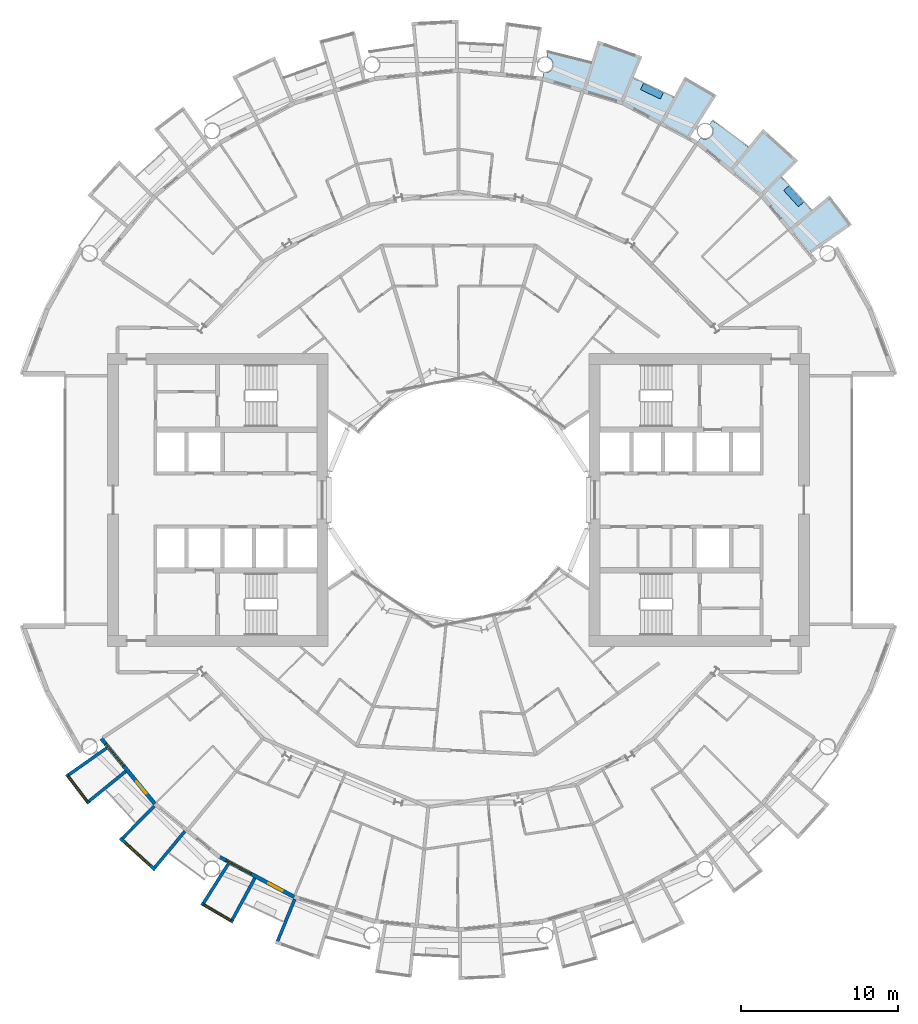
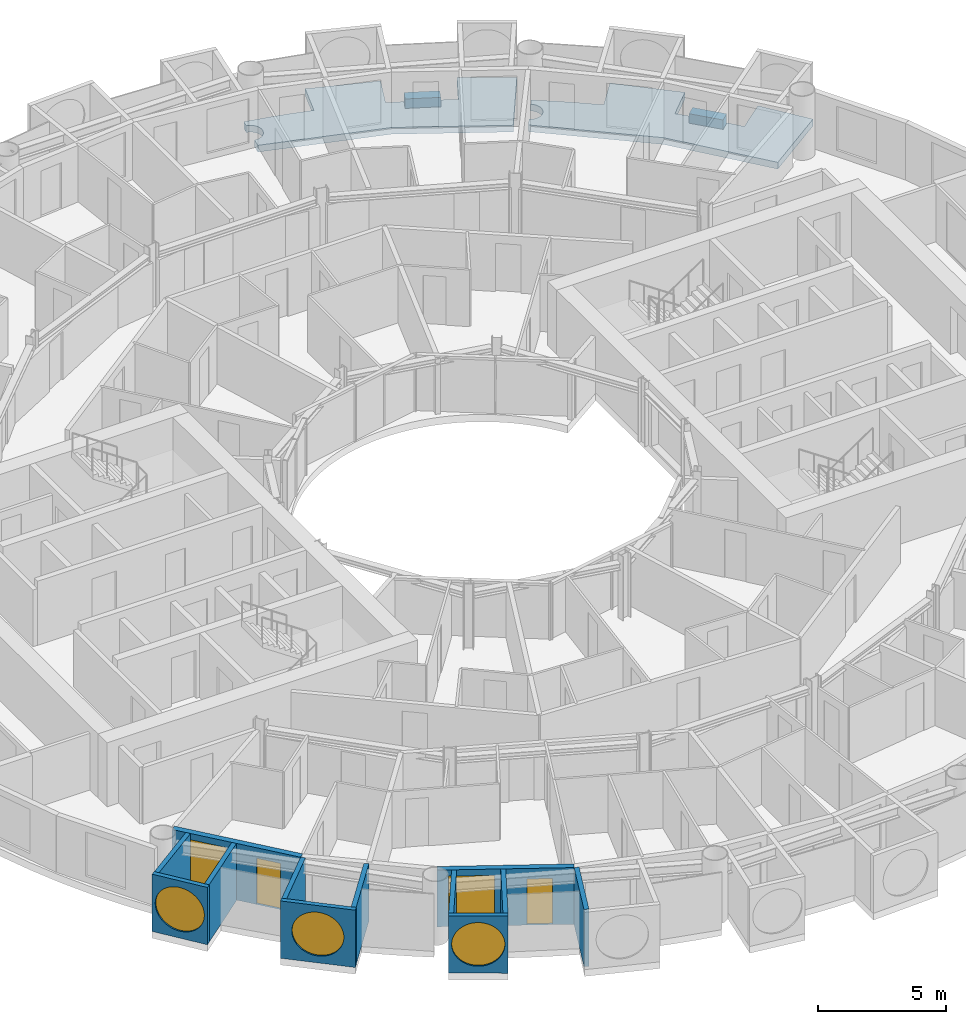
# One storey, part 12 of 26: 12 walls, 5 windows, 4 slabs, 2 doors, 7 openings.
"""IFC4 building model written with IfcOpenShell, lengths in metres."""

from ifc_helpers import new_model, si_unit, direction, frame, frame_2d, origin, place, context, subcontext, project, spatial, polyline, rectangle, circle, outline, extrude, material, layer, layer_set, type_object, element, fill, save


model = new_model("IFC4")

# Units and contexts
model_context = context("Model", 3, precision=1e-05, world=origin(), true_north=direction((0.0, 1.0)))
body_context = subcontext(model_context, "Body", "Model", "MODEL_VIEW")
ifc_project = project(units=[si_unit("LENGTHUNIT", "METRE"), si_unit("AREAUNIT", "SQUARE_METRE"), si_unit("VOLUMEUNIT", "CUBIC_METRE"), si_unit("PLANEANGLEUNIT", "RADIAN"), si_unit("MASSUNIT", "GRAM", prefix="KILO")], contexts=[model_context])

# Site, building, storey
site_placement = place(None, origin())
site = spatial("IfcSite", under=ifc_project, at=site_placement, CompositionType="ELEMENT")
building_placement = place(site_placement, origin())
building = spatial("IfcBuilding", under=site, at=building_placement, Name="Maasbend Ring Residences", CompositionType="ELEMENT")
storey_placement = place(building_placement, frame((0.0, 0.0, 78.85009765625)))
storey = spatial("IfcBuildingStorey", under=building, at=storey_placement, Name="L22", CompositionType="ELEMENT", Elevation=78.85009765625)

# Slabs
ifc_material_1 = material(Name="Planting with climbing greenery")
ifc_layer_1 = layer(ifc_material_1, 0.449951171875)
ifc_layer_set_1 = layer_set([ifc_layer_1], Name="PLANTER-LG")
slab_type_1 = type_object("IfcSlabType", Name="PLANTER-LG", PredefinedType="USERDEFINED", material=ifc_layer_set_1)
slab_1_placement = place(storey_placement, frame((0.0, 0.0, -0.030029296875)))
element("IfcSlab", 1, at=slab_1_placement, inside=storey, type_object=slab_type_1, Name="Planter with climbing greenery 1", ObjectType="PLANTER", PredefinedType="USERDEFINED", context=body_context, shape_type="SweptSolid", body=[
    extrude(outline(polyline([(21.931884765625, 18.93310546875), (20.991943359375, 19.969970703125), (20.657958984375, 19.66796875), (21.597900390625, 18.631103515625), (21.931884765625, 18.93310546875)])), origin(), (0.0, 0.0, 1.0), 0.449951171875),
])
slab_2_placement = place(storey_placement, frame((0.0, 0.0, -0.030029296875)))
element("IfcSlab", 2, at=slab_2_placement, inside=storey, type_object=slab_type_1, Name="Planter with climbing greenery 2", ObjectType="PLANTER", PredefinedType="USERDEFINED", context=body_context, shape_type="SweptSolid", body=[
    extrude(outline(polyline([(13.01708984375, 25.885009765625), (11.7509765625, 26.48291015625), (11.55908203125, 26.076904296875), (12.824951171875, 25.47802734375), (13.01708984375, 25.885009765625)])), origin(), (0.0, 0.0, 1.0), 0.449951171875),
])
ifc_material_2 = material(Name="Concrete C40/50", Category="concrete")
ifc_layer_2 = layer(ifc_material_2, 0.199951171875)
ifc_layer_set_2 = layer_set([ifc_layer_2], Name="Concrete C40/50")
slab_type_2 = type_object("IfcSlabType", Name="SL-LOGGIA", PredefinedType="FLOOR", material=ifc_layer_set_2)
slab_3_placement = place(storey_placement, frame((0.0, 0.0, -0.35009765625)))
element("IfcSlab", 3, at=slab_3_placement, inside=storey, type_object=slab_type_2, Name="Loggia floor 2", PredefinedType="FLOOR", context=body_context, shape_type="SweptSolid", body=[
    extrude(outline(polyline([(5.43896484375, 27.154052734375), (5.451904296875, 27.153076171875), (5.464111328125, 27.15087890625), (5.47705078125, 27.15087890625), (5.489013671875, 27.14990234375), (5.501953125, 27.14990234375), (5.513916015625, 27.14990234375), (5.52587890625, 27.15087890625), (5.5390625, 27.15087890625), (5.551025390625, 27.153076171875), (5.56396484375, 27.154052734375), (5.575927734375, 27.156005859375), (5.587890625, 27.157958984375), (5.60107421875, 27.159912109375), (5.613037109375, 27.162109375), (5.625, 27.1650390625), (5.636962890625, 27.1689453125), (5.64892578125, 27.172119140625), (5.660888671875, 27.176025390625), (5.673095703125, 27.179931640625), (5.68408203125, 27.18408203125), (5.696044921875, 27.18896484375), (5.70703125, 27.194091796875), (5.718994140625, 27.198974609375), (5.72998046875, 27.2041015625), (5.740966796875, 27.2099609375), (5.751953125, 27.216064453125), (5.762939453125, 27.221923828125), (5.77294921875, 27.22900390625), (5.783935546875, 27.236083984375), (5.7939453125, 27.242919921875), (5.803955078125, 27.25), (5.81396484375, 27.258056640625), (5.823974609375, 27.264892578125), (5.8330078125, 27.27294921875), (5.843017578125, 27.281982421875), (5.85205078125, 27.2900390625), (5.861083984375, 27.299072265625), (5.868896484375, 27.30810546875), (5.8779296875, 27.31689453125), (5.885986328125, 27.325927734375), (5.89404296875, 27.3359375), (5.902099609375, 27.345947265625), (5.909912109375, 27.35498046875), (5.9169921875, 27.365966796875), (5.924072265625, 27.3759765625), (5.930908203125, 27.385986328125), (5.93701171875, 27.39697265625), (5.944091796875, 27.407958984375), (5.949951171875, 27.4189453125), (5.955078125, 27.429931640625), (5.9609375, 27.44091796875), (5.966064453125, 27.451904296875), (5.970947265625, 27.464111328125), (5.97509765625, 27.47509765625), (5.97998046875, 27.487060546875), (5.98388671875, 27.4990234375), (5.988037109375, 27.510986328125), (5.990966796875, 27.52294921875), (5.993896484375, 27.534912109375), (5.9970703125, 27.547119140625), (6.0, 27.55908203125), (6.001953125, 27.571044921875), (6.00390625, 27.583984375), (6.006103515625, 27.595947265625), (6.007080078125, 27.60791015625), (6.008056640625, 27.62109375), (6.009033203125, 27.633056640625), (6.009033203125, 27.64599609375), (6.010009765625, 27.657958984375), (6.009033203125, 27.6708984375), (6.009033203125, 27.68310546875), (6.008056640625, 27.695068359375), (6.007080078125, 27.7080078125), (6.006103515625, 27.719970703125), (6.00390625, 27.73291015625), (6.001953125, 27.7451171875), (6.0, 27.757080078125), (5.9970703125, 27.76904296875), (5.993896484375, 27.781982421875), (5.990966796875, 27.7939453125), (5.988037109375, 27.805908203125), (5.98388671875, 27.81689453125), (5.97998046875, 27.8291015625), (5.97509765625, 27.841064453125), (5.970947265625, 27.85302734375), (5.966064453125, 27.864013671875), (5.9609375, 27.875), (5.955078125, 27.886962890625), (5.949951171875, 27.89794921875), (5.944091796875, 27.907958984375), (5.93701171875, 27.9189453125), (5.930908203125, 27.929931640625), (5.924072265625, 27.93994140625), (5.9169921875, 27.950927734375), (5.909912109375, 27.9609375), (5.902099609375, 27.970947265625), (5.89404296875, 27.97998046875), (5.885986328125, 27.989990234375), (5.8779296875, 27.9990234375), (5.868896484375, 28.008056640625), (5.861083984375, 28.01708984375), (5.85205078125, 28.02587890625), (5.843017578125, 28.034912109375), (5.8330078125, 28.04296875), (5.823974609375, 28.051025390625), (5.81396484375, 28.05908203125), (5.803955078125, 28.06591796875), (5.7939453125, 28.072998046875), (5.783935546875, 28.080078125), (5.77294921875, 28.0869140625), (5.762939453125, 28.093994140625), (5.751953125, 28.10009765625), (5.740966796875, 28.10595703125), (5.72998046875, 28.112060546875), (5.718994140625, 28.116943359375), (5.70703125, 28.123046875), (5.696044921875, 28.126953125), (5.68408203125, 28.132080078125), (5.673095703125, 28.135986328125), (5.660888671875, 28.139892578125), (5.64892578125, 28.14404296875), (5.636962890625, 28.14794921875), (5.625, 28.15087890625), (5.613037109375, 28.154052734375), (5.60107421875, 28.156005859375), (5.657958984375, 28.443115234375), (5.657958984375, 28.443115234375), (5.657958984375, 28.443115234375), (6.5849609375, 28.241943359375), (6.5849609375, 28.241943359375), (7.506103515625, 28.011962890625), (7.506103515625, 28.011962890625), (8.41796875, 27.7509765625), (8.41796875, 27.7509765625), (8.41796875, 27.7509765625), (8.41796875, 27.7509765625), (8.41796875, 27.7509765625), (8.41796875, 27.7509765625), (8.41796875, 27.7509765625), (8.41796875, 27.7509765625), (8.41796875, 27.7509765625), (8.41796875, 27.7509765625), (8.41796875, 27.751953125), (8.41796875, 27.751953125), (8.41796875, 27.751953125), (8.41796875, 27.751953125), (8.41796875, 27.751953125), (8.41796875, 27.751953125), (8.41796875, 27.751953125), (8.85400390625, 29.18701171875), (8.85400390625, 29.18701171875), (8.85400390625, 29.18701171875), (11.672119140625, 28.177978515625), (11.672119140625, 28.177978515625), (11.672119140625, 28.177978515625), (11.097900390625, 26.79296875), (11.097900390625, 26.79296875), (11.097900390625, 26.79296875), (11.097900390625, 26.79296875), (11.097900390625, 26.79296875), (11.097900390625, 26.79296875), (11.097900390625, 26.79296875), (11.097900390625, 26.79296875), (11.097900390625, 26.79296875), (11.097900390625, 26.79296875), (11.097900390625, 26.7919921875), (11.097900390625, 26.7919921875), (11.097900390625, 26.7919921875), (11.097900390625, 26.7919921875), (11.097900390625, 26.7919921875), (11.097900390625, 26.7919921875), (11.097900390625, 26.7919921875), (11.968994140625, 26.4150390625), (11.968994140625, 26.4150390625), (12.825927734375, 26.009033203125), (12.825927734375, 26.009033203125), (13.669921875, 25.575927734375), (13.669921875, 25.575927734375), (13.669921875, 25.575927734375), (13.669921875, 25.575927734375), (13.669921875, 25.575927734375), (13.669921875, 25.575927734375), (13.669921875, 25.575927734375), (13.669921875, 25.575927734375), (13.669921875, 25.575927734375), (13.669921875, 25.575927734375), (13.6708984375, 25.575927734375), (13.6708984375, 25.575927734375), (13.6708984375, 25.575927734375), (13.6708984375, 25.575927734375), (13.6708984375, 25.575927734375), (13.6708984375, 25.575927734375), (13.6708984375, 25.575927734375), (14.3779296875, 26.89892578125), (14.3779296875, 26.89892578125), (14.3779296875, 26.89892578125), (16.39404296875, 25.718994140625), (16.39404296875, 25.718994140625), (16.39404296875, 25.718994140625), (14.64599609375, 22.97705078125), (14.64599609375, 22.97705078125), (14.64599609375, 22.97705078125), (12.806884765625, 23.9609375), (10.447021484375, 25.221923828125), (10.447021484375, 25.221923828125), (10.447021484375, 25.221923828125), (7.886962890625, 25.9990234375), (5.325927734375, 26.77490234375), (5.325927734375, 26.77490234375), (5.325927734375, 26.77490234375), (5.402099609375, 27.159912109375), (5.4150390625, 27.157958984375), (5.427001953125, 27.156005859375), (5.43896484375, 27.154052734375)])), origin(), (0.0, 0.0, 1.0), 0.320068359375),
])
slab_4_placement = place(storey_placement, frame((0.0, 0.0, -0.35009765625)))
element("IfcSlab", 4, at=slab_4_placement, inside=storey, type_object=slab_type_2, Name="Loggia floor 4", PredefinedType="FLOOR", context=body_context, shape_type="SweptSolid", body=[
    extrude(outline(polyline([(15.406005859375, 23.011962890625), (15.4169921875, 23.0048828125), (15.427978515625, 22.9990234375), (15.43896484375, 22.993896484375), (15.449951171875, 22.988037109375), (15.4609375, 22.98291015625), (15.472900390625, 22.97802734375), (15.48388671875, 22.972900390625), (15.49609375, 22.968994140625), (15.508056640625, 22.965087890625), (15.52001953125, 22.9609375), (15.531982421875, 22.9580078125), (15.5439453125, 22.955078125), (15.555908203125, 22.951904296875), (15.568115234375, 22.948974609375), (15.580078125, 22.947021484375), (15.593017578125, 22.945068359375), (15.60498046875, 22.943115234375), (15.616943359375, 22.94189453125), (15.6298828125, 22.94091796875), (15.64208984375, 22.93994140625), (15.655029296875, 22.93994140625), (15.6669921875, 22.93896484375), (15.679931640625, 22.93994140625), (15.69189453125, 22.93994140625), (15.7041015625, 22.94091796875), (15.717041015625, 22.94189453125), (15.72900390625, 22.943115234375), (15.741943359375, 22.945068359375), (15.75390625, 22.947021484375), (15.76611328125, 22.948974609375), (15.778076171875, 22.951904296875), (15.791015625, 22.955078125), (15.802978515625, 22.9580078125), (15.81494140625, 22.9609375), (15.825927734375, 22.965087890625), (15.837890625, 22.968994140625), (15.85009765625, 22.972900390625), (15.862060546875, 22.97802734375), (15.873046875, 22.98291015625), (15.884033203125, 22.988037109375), (15.89599609375, 22.993896484375), (15.906982421875, 22.9990234375), (15.9169921875, 23.0048828125), (15.927978515625, 23.011962890625), (15.93896484375, 23.01806640625), (15.948974609375, 23.02490234375), (15.9599609375, 23.031982421875), (15.969970703125, 23.0390625), (15.97998046875, 23.047119140625), (15.989013671875, 23.054931640625), (15.9990234375, 23.06298828125), (16.008056640625, 23.071044921875), (16.01708984375, 23.0791015625), (16.02587890625, 23.087890625), (16.034912109375, 23.096923828125), (16.0439453125, 23.10595703125), (16.052001953125, 23.115966796875), (16.06005859375, 23.125), (16.068115234375, 23.135009765625), (16.074951171875, 23.14501953125), (16.08203125, 23.155029296875), (16.089111328125, 23.1650390625), (16.095947265625, 23.176025390625), (16.10302734375, 23.18603515625), (16.10888671875, 23.197021484375), (16.114990234375, 23.2080078125), (16.12109375, 23.218994140625), (16.1259765625, 23.22998046875), (16.132080078125, 23.241943359375), (16.135986328125, 23.2529296875), (16.14111328125, 23.264892578125), (16.14501953125, 23.27587890625), (16.14892578125, 23.2880859375), (16.153076171875, 23.300048828125), (16.156982421875, 23.31201171875), (16.159912109375, 23.323974609375), (16.1630859375, 23.3359375), (16.1650390625, 23.347900390625), (16.16796875, 23.361083984375), (16.169921875, 23.373046875), (16.1708984375, 23.385009765625), (16.173095703125, 23.39794921875), (16.174072265625, 23.409912109375), (16.174072265625, 23.422119140625), (16.175048828125, 23.43505859375), (16.175048828125, 23.447021484375), (16.175048828125, 23.4599609375), (16.174072265625, 23.471923828125), (16.174072265625, 23.485107421875), (16.173095703125, 23.4970703125), (16.1708984375, 23.510009765625), (16.169921875, 23.52197265625), (16.16796875, 23.533935546875), (16.1650390625, 23.547119140625), (16.1630859375, 23.55908203125), (16.159912109375, 23.571044921875), (16.156982421875, 23.5830078125), (16.153076171875, 23.594970703125), (16.14892578125, 23.60693359375), (16.14501953125, 23.618896484375), (16.14111328125, 23.6298828125), (16.135986328125, 23.64208984375), (16.132080078125, 23.653076171875), (16.1259765625, 23.6650390625), (16.12109375, 23.676025390625), (16.114990234375, 23.68701171875), (16.10888671875, 23.697998046875), (16.10302734375, 23.708984375), (16.095947265625, 23.718994140625), (16.089111328125, 23.72998046875), (16.08203125, 23.739990234375), (16.074951171875, 23.75), (16.068115234375, 23.760009765625), (16.06005859375, 23.77001953125), (16.052001953125, 23.779052734375), (16.0439453125, 23.7890625), (16.034912109375, 23.798095703125), (16.02587890625, 23.806884765625), (16.01708984375, 23.81494140625), (16.008056640625, 23.823974609375), (15.9990234375, 23.83203125), (15.989013671875, 23.840087890625), (15.97998046875, 23.847900390625), (15.969970703125, 23.85498046875), (15.9599609375, 23.863037109375), (15.948974609375, 23.8701171875), (15.948974609375, 23.8701171875), (16.112060546875, 24.113037109375), (16.112060546875, 24.113037109375), (16.112060546875, 24.113037109375), (16.89208984375, 23.572998046875), (16.89208984375, 23.572998046875), (17.654052734375, 23.007080078125), (17.654052734375, 23.007080078125), (18.39697265625, 22.41796875), (18.39697265625, 22.41796875), (18.39697265625, 22.41796875), (18.39697265625, 22.41796875), (18.39697265625, 22.41796875), (18.39697265625, 22.41796875), (18.39697265625, 22.41796875), (18.39697265625, 22.41796875), (18.39697265625, 22.41796875), (18.39697265625, 22.41796875), (18.39697265625, 22.41796875), (18.39794921875, 22.41796875), (18.39794921875, 22.41796875), (18.39794921875, 22.41796875), (18.39794921875, 22.41796875), (18.39794921875, 22.41796875), (18.39794921875, 22.41796875), (19.34912109375, 23.576904296875), (19.34912109375, 23.576904296875), (19.34912109375, 23.576904296875), (21.56689453125, 21.56689453125), (21.56689453125, 21.56689453125), (21.56689453125, 21.56689453125), (20.506103515625, 20.506103515625), (20.506103515625, 20.506103515625), (20.506103515625, 20.506103515625), (20.506103515625, 20.506103515625), (20.506103515625, 20.506103515625), (20.506103515625, 20.506103515625), (20.506103515625, 20.506103515625), (20.506103515625, 20.506103515625), (20.506103515625, 20.506103515625), (20.506103515625, 20.506103515625), (20.506103515625, 20.506103515625), (20.506103515625, 20.506103515625), (20.506103515625, 20.506103515625), (20.506103515625, 20.506103515625), (20.506103515625, 20.506103515625), (20.506103515625, 20.506103515625), (20.506103515625, 20.506103515625), (21.166015625, 19.823974609375), (21.166015625, 19.823974609375), (21.802978515625, 19.12109375), (21.802978515625, 19.12109375), (22.4169921875, 18.39794921875), (22.4169921875, 18.39794921875), (22.4169921875, 18.39794921875), (22.4169921875, 18.39794921875), (22.4169921875, 18.39794921875), (22.4169921875, 18.39794921875), (22.4169921875, 18.39794921875), (22.4169921875, 18.39794921875), (22.4169921875, 18.39794921875), (22.4169921875, 18.39794921875), (22.4169921875, 18.39794921875), (22.4169921875, 18.39794921875), (22.41796875, 18.39794921875), (22.41796875, 18.39794921875), (22.41796875, 18.39794921875), (22.41796875, 18.39794921875), (22.41796875, 18.39794921875), (23.576904296875, 19.34912109375), (23.576904296875, 19.34912109375), (23.576904296875, 19.34912109375), (24.989013671875, 17.488037109375), (24.989013671875, 17.488037109375), (24.989013671875, 17.488037109375), (22.324951171875, 15.623046875), (22.324951171875, 15.623046875), (22.324951171875, 15.623046875), (21.001953125, 17.236083984375), (19.303955078125, 19.303955078125), (19.303955078125, 19.303955078125), (19.303955078125, 19.303955078125), (17.236083984375, 21.001953125), (15.1669921875, 22.698974609375), (15.1669921875, 22.698974609375), (15.1669921875, 22.698974609375), (15.385009765625, 23.02490234375), (15.385009765625, 23.02490234375), (15.39501953125, 23.01806640625), (15.406005859375, 23.011962890625)])), origin(), (0.0, 0.0, 1.0), 0.320068359375),
])

# Wall, opening, window
ifc_material_3 = material(Name="Pale anodised aluminium panel", Category="aluminium")
ifc_layer_3 = layer(ifc_material_3, 0.199951171875)
ifc_layer_set_3 = layer_set([ifc_layer_3], Name="EW-BOX")
wall_type_1 = type_object("IfcWallType", Name="EW-BOX", PredefinedType="SOLIDWALL", material=ifc_layer_set_3)
wall_1_placement = place(storey_placement, frame((-24.908935546875, -17.427001953125, -0.030029296875), z_axis=(0.0, 0.0, 1.0), x_axis=(0.60418752353, -0.796842165306, 0.0)))
wall_1 = element("IfcWall", 5, at=wall_1_placement, inside=storey, type_object=wall_type_1, Name="Box front S01", PredefinedType="SOLIDWALL", context=body_context, shape_type="SweptSolid", body=[
    extrude(rectangle(XDim=2.3369140625, YDim=0.199951171875, at=frame_2d((1.16845703125, 0.0))), origin(), (0.0, 0.0, 1.0), 2.72998046875),
])
opening_1_placement = place(wall_1_placement, frame((0.128173828125, 0.0, 0.330078125)))
opening_1 = element("IfcOpeningElement", 6, at=opening_1_placement, cuts=wall_1, Name="Opening W-RD", PredefinedType="OPENING", context=body_context, shape_type="SweptSolid", body=[
    extrude(circle(Radius=1.0400390625, at=frame_2d((1.0400390625, 1.0400390625))), frame((0.0, 0.10986328125, 0.0), z_axis=(0.0, -1.0, 0.0), x_axis=(1.0, 0.0, 0.0)), (0.0, 0.0, 1.0), 0.219970703125),
])
ifc_material_4 = material(Name="Aluminium and clear glass", Category="aluminium")
window_type_1 = type_object("IfcWindowType", Name="W-RD", PartitioningType="SINGLE_PANEL", PredefinedType="WINDOW", material=ifc_material_4)
window_1_placement = place(opening_1_placement, origin())
window_1 = element("IfcWindow", 7, at=window_1_placement, inside=storey, type_object=window_type_1, Name="Round window S01", OverallHeight=2.080078125, OverallWidth=2.080078125, PartitioningType="SINGLE_PANEL", PredefinedType="WINDOW", context=body_context, shape_type="SweptSolid", body=[
    extrude(circle(Radius=1.0400390625, at=frame_2d((1.0400390625, 1.0400390625))), frame((0.0, 0.030029296875, 0.0), z_axis=(0.0, -1.0, 0.0), x_axis=(1.0, 0.0, 0.0)), (0.0, 0.0, 1.0), 0.06005859375),
])
fill(opening_1, window_1)

# Walls
wall_2_placement = place(storey_placement, frame((-22.3701171875, -15.764892578125, -0.030029296875), z_axis=(0.0, 0.0, 1.0), x_axis=(-0.817256123454, -0.576274612209, 0.0)))
element("IfcWall", 8, at=wall_2_placement, inside=storey, type_object=wall_type_1, Name="Box side wall S01 left", PredefinedType="SOLIDWALL", context=body_context, shape_type="SweptSolid", body=[
    extrude(rectangle(XDim=2.932861328125, YDim=0.199951171875, at=frame_2d((1.46630859375, 0.0))), origin(), (0.0, 0.0, 1.0), 2.72998046875),
])
wall_3_placement = place(storey_placement, frame((-21.155029296875, -17.24609375, -0.030029296875), z_axis=(0.0, 0.0, 1.0), x_axis=(-0.775179004516, -0.631741648902, 0.0)))
element("IfcWall", 9, at=wall_3_placement, inside=storey, type_object=wall_type_1, Name="Box side wall S01 right", PredefinedType="SOLIDWALL", context=body_context, shape_type="SweptSolid", body=[
    extrude(rectangle(XDim=3.005859375, YDim=0.199951171875, at=frame_2d((1.5029296875, 0.0))), origin(), (0.0, 0.0, 1.0), 2.72998046875),
])

# Wall, opening, window
wall_4_placement = place(storey_placement, frame((-21.5, -21.492919921875, -0.030029296875), z_axis=(0.0, 0.0, 1.0), x_axis=(0.740998365753, -0.671506829416, 0.0)))
wall_4 = element("IfcWall", 10, at=wall_4_placement, inside=storey, type_object=wall_type_1, Name="Box front S03", PredefinedType="SOLIDWALL", context=body_context, shape_type="SweptSolid", body=[
    extrude(rectangle(XDim=2.9931640625, YDim=0.199951171875, at=frame_2d((1.49658203125, 0.0))), origin(), (0.0, 0.0, 1.0), 2.72998046875),
])
opening_2_placement = place(wall_4_placement, frame((0.45654296875, 0.0, 0.330078125)))
opening_2 = element("IfcOpeningElement", 11, at=opening_2_placement, cuts=wall_4, Name="Opening W-RD", PredefinedType="OPENING", context=body_context, shape_type="SweptSolid", body=[
    extrude(circle(Radius=1.0400390625, at=frame_2d((1.0400390625, 1.0400390625))), frame((0.0, 0.10986328125, 0.0), z_axis=(0.0, -1.0, 0.0), x_axis=(1.0, 0.0, 0.0)), (0.0, 0.0, 1.0), 0.219970703125),
])
window_2_placement = place(opening_2_placement, origin())
window_2 = element("IfcWindow", 12, at=window_2_placement, inside=storey, type_object=window_type_1, Name="Round window S03", OverallHeight=2.080078125, OverallWidth=2.080078125, PartitioningType="SINGLE_PANEL", PredefinedType="WINDOW", context=body_context, shape_type="SweptSolid", body=[
    extrude(circle(Radius=1.0400390625, at=frame_2d((1.0400390625, 1.0400390625))), frame((0.0, 0.030029296875, 0.0), z_axis=(0.0, -1.0, 0.0), x_axis=(1.0, 0.0, 0.0)), (0.0, 0.0, 1.0), 0.06005859375),
])
fill(opening_2, window_2)

# Walls
wall_5_placement = place(storey_placement, frame((-19.322998046875, -19.449951171875, -0.030029296875), z_axis=(0.0, 0.0, 1.0), x_axis=(-0.704476739375, -0.709727076896, 0.0)))
element("IfcWall", 13, at=wall_5_placement, inside=storey, type_object=wall_type_1, Name="Box side wall S03 left", PredefinedType="SOLIDWALL", context=body_context, shape_type="SweptSolid", body=[
    extrude(rectangle(XDim=2.883056640625, YDim=0.199951171875, at=frame_2d((1.44140625, 0.0))), origin(), (0.0, 0.0, 1.0), 2.72998046875),
])
wall_6_placement = place(storey_placement, frame((-17.384033203125, -21.041015625, -0.030029296875), z_axis=(0.0, 0.0, 1.0), x_axis=(-0.63709551667, -0.770784861449, 0.0)))
element("IfcWall", 14, at=wall_6_placement, inside=storey, type_object=wall_type_1, Name="Box side wall S03 right", PredefinedType="SOLIDWALL", context=body_context, shape_type="SweptSolid", body=[
    extrude(rectangle(XDim=3.005859375, YDim=0.199951171875, at=frame_2d((1.5029296875, 0.0))), origin(), (0.0, 0.0, 1.0), 2.72998046875),
])

# Wall, opening, window
wall_7_placement = place(storey_placement, frame((-16.343994140625, -25.633056640625, -0.030029296875), z_axis=(0.0, 0.0, 1.0), x_axis=(0.863346521872, -0.504611517081, 0.0)))
wall_7 = element("IfcWall", 15, at=wall_7_placement, inside=storey, type_object=wall_type_1, Name="Box front S05", PredefinedType="SOLIDWALL", context=body_context, shape_type="SweptSolid", body=[
    extrude(rectangle(XDim=2.33642578125, YDim=0.199951171875, at=frame_2d((1.168212890625, 0.0))), origin(), (0.0, 0.0, 1.0), 2.72998046875),
])
opening_3_placement = place(wall_7_placement, frame((0.128173828125, 0.0, 0.330078125)))
opening_3 = element("IfcOpeningElement", 16, at=opening_3_placement, cuts=wall_7, Name="Opening W-RD", PredefinedType="OPENING", context=body_context, shape_type="SweptSolid", body=[
    extrude(circle(Radius=1.0400390625, at=frame_2d((1.0400390625, 1.0400390625))), frame((0.0, 0.10986328125, 0.0), z_axis=(0.0, -1.0, 0.0), x_axis=(1.0, 0.0, 0.0)), (0.0, 0.0, 1.0), 0.219970703125),
])
window_3_placement = place(opening_3_placement, origin())
window_3 = element("IfcWindow", 17, at=window_3_placement, inside=storey, type_object=window_type_1, Name="Round window S05", OverallHeight=2.080078125, OverallWidth=2.080078125, PartitioningType="SINGLE_PANEL", PredefinedType="WINDOW", context=body_context, shape_type="SweptSolid", body=[
    extrude(circle(Radius=1.0400390625, at=frame_2d((1.0400390625, 1.0400390625))), frame((0.0, 0.030029296875, 0.0), z_axis=(0.0, -1.0, 0.0), x_axis=(1.0, 0.0, 0.0)), (0.0, 0.0, 1.0), 0.06005859375),
])
fill(opening_3, window_3)

# Walls
wall_8_placement = place(storey_placement, frame((-14.635009765625, -23.1259765625, -0.030029296875), z_axis=(0.0, 0.0, 1.0), x_axis=(-0.534437802731, -0.845207805816, 0.0)))
element("IfcWall", 18, at=wall_8_placement, inside=storey, type_object=wall_type_1, Name="Box side wall S05 left", PredefinedType="SOLIDWALL", context=body_context, shape_type="SweptSolid", body=[
    extrude(rectangle(XDim=2.931884765625, YDim=0.199951171875, at=frame_2d((1.4658203125, 0.0))), origin(), (0.0, 0.0, 1.0), 2.72998046875),
])
wall_9_placement = place(storey_placement, frame((-12.945068359375, -24.029052734375, -0.030029296875), z_axis=(0.0, 0.0, 1.0), x_axis=(-0.474424310775, -0.88029629861, 0.0)))
element("IfcWall", 19, at=wall_9_placement, inside=storey, type_object=wall_type_1, Name="Box side wall S05 right", PredefinedType="SOLIDWALL", context=body_context, shape_type="SweptSolid", body=[
    extrude(rectangle(XDim=3.005859375, YDim=0.199951171875, at=frame_2d((1.5029296875, 0.0))), origin(), (0.0, 0.0, 1.0), 2.72998046875),
])
wall_10_placement = place(storey_placement, frame((-10.408935546875, -25.364013671875, -0.030029296875), z_axis=(0.0, 0.0, 1.0), x_axis=(-0.379509886562, -0.925187681501, 0.0)))
element("IfcWall", 20, at=wall_10_placement, inside=storey, type_object=wall_type_1, Name="Box side wall S07 left", PredefinedType="SOLIDWALL", context=body_context, shape_type="SweptSolid", body=[
    extrude(rectangle(XDim=2.882568359375, YDim=0.199951171875, at=frame_2d((1.44140625, 0.0))), origin(), (0.0, 0.0, 1.0), 2.72998046875),
])

# Wall, openings, door, window
ifc_material_5 = material(Name="Aluminium clad insulated panel", Category="aluminium")
ifc_layer_4 = layer(ifc_material_5, 0.25)
ifc_layer_set_4 = layer_set([ifc_layer_4], Name="EW-GL")
wall_type_2 = type_object("IfcWallType", Name="EW-GL", PredefinedType="SOLIDWALL", material=ifc_layer_set_4)
wall_11_placement = place(storey_placement, frame((-22.698974609375, -15.1669921875, 0.0), z_axis=(0.0, 0.0, 1.0), x_axis=(0.634382322723, -0.773019449054, 0.0)))
wall_11 = element("IfcWall", 21, at=wall_11_placement, inside=storey, type_object=wall_type_2, Name="External wall S01", PredefinedType="SOLIDWALL", context=body_context, shape_type="SweptSolid", body=[
    extrude(rectangle(XDim=5.351806640625, YDim=0.25, at=frame_2d((2.67578125, 0.0))), origin(), (0.0, 0.0, 1.0), 2.699951171875),
])
opening_4_placement = place(wall_11_placement, frame((0.441162109375, 0.0, 0.300048828125)))
opening_4 = element("IfcOpeningElement", 22, at=opening_4_placement, cuts=wall_11, Name="Opening W-BX", PredefinedType="OPENING", context=body_context, shape_type="SweptSolid", body=[
    extrude(rectangle(XDim=1.800048828125, YDim=2.10009765625, at=frame_2d((0.89990234375, 1.050048828125))), frame((0.0, 0.135009765625, 0.0), z_axis=(0.0, -1.0, 0.0), x_axis=(1.0, 0.0, 0.0)), (0.0, 0.0, 1.0), 0.27001953125),
])
opening_5_placement = place(wall_11_placement, frame((3.510498046875, 0.0, 0.0)))
opening_5 = element("IfcOpeningElement", 23, at=opening_5_placement, cuts=wall_11, Name="Opening D-LG", PredefinedType="OPENING", context=body_context, shape_type="SweptSolid", body=[
    extrude(rectangle(XDim=1.0, YDim=2.199951171875, at=frame_2d((0.5, 1.10009765625))), frame((0.0, 0.135009765625, 0.0), z_axis=(0.0, -1.0, 0.0), x_axis=(1.0, 0.0, 0.0)), (0.0, 0.0, 1.0), 0.27001953125),
])
ifc_material_6 = material(Name="Aluminium and clear glass", Category="aluminium")
door_type = type_object("IfcDoorType", Name="D-LG", OperationType="SINGLE_SWING_LEFT", PredefinedType="DOOR", material=ifc_material_6)
door_1_placement = place(opening_5_placement, origin())
door_1 = element("IfcDoor", 24, at=door_1_placement, inside=storey, type_object=door_type, Name="Loggia door S02", OperationType="SINGLE_SWING_LEFT", OverallHeight=2.199951171875, OverallWidth=1.0, PredefinedType="DOOR", context=body_context, shape_type="SweptSolid", body=[
    extrude(rectangle(XDim=1.0, YDim=2.199951171875, at=frame_2d((0.5, 1.10009765625))), frame((0.0, 0.02490234375, 0.0), z_axis=(0.0, -1.0, 0.0), x_axis=(1.0, 0.0, 0.0)), (0.0, 0.0, 1.0), 0.050048828125),
])
fill(opening_5, door_1)
ifc_material_7 = material(Name="Aluminium and clear glass", Category="aluminium")
window_type_2 = type_object("IfcWindowType", Name="W-BX", PartitioningType="DOUBLE_PANEL_VERTICAL", PredefinedType="WINDOW", material=ifc_material_7)
window_4_placement = place(opening_4_placement, origin())
window_4 = element("IfcWindow", 25, at=window_4_placement, inside=storey, type_object=window_type_2, Name="Window S01 room to box", OverallHeight=2.10009765625, OverallWidth=1.800048828125, PartitioningType="SINGLE_PANEL", PredefinedType="WINDOW", context=body_context, shape_type="SweptSolid", body=[
    extrude(rectangle(XDim=1.800048828125, YDim=2.10009765625, at=frame_2d((0.89990234375, 1.050048828125))), frame((0.0, 0.030029296875, 0.0), z_axis=(0.0, -1.0, 0.0), x_axis=(1.0, 0.0, 0.0)), (0.0, 0.0, 1.0), 0.06005859375),
])
fill(opening_4, window_4)

wall_12_placement = place(storey_placement, frame((-15.1669921875, -22.698974609375, 0.0), z_axis=(0.0, 0.0, 1.0), x_axis=(0.881915646801, -0.471407246368, 0.0)))
wall_12 = element("IfcWall", 26, at=wall_12_placement, inside=storey, type_object=wall_type_2, Name="External wall S03", PredefinedType="SOLIDWALL", context=body_context, shape_type="SweptSolid", body=[
    extrude(rectangle(XDim=5.35205078125, YDim=0.25, at=frame_2d((2.676025390625, 0.0))), origin(), (0.0, 0.0, 1.0), 2.699951171875),
])
opening_6_placement = place(wall_12_placement, frame((0.441162109375, 0.0, 0.300048828125)))
opening_6 = element("IfcOpeningElement", 27, at=opening_6_placement, cuts=wall_12, Name="Opening W-BX", PredefinedType="OPENING", context=body_context, shape_type="SweptSolid", body=[
    extrude(rectangle(XDim=1.800048828125, YDim=2.10009765625, at=frame_2d((0.89990234375, 1.050048828125))), frame((0.0, 0.135009765625, 0.0), z_axis=(0.0, -1.0, 0.0), x_axis=(1.0, 0.0, 0.0)), (0.0, 0.0, 1.0), 0.27001953125),
])
opening_7_placement = place(wall_12_placement, frame((3.510498046875, 0.0, 0.0)))
opening_7 = element("IfcOpeningElement", 28, at=opening_7_placement, cuts=wall_12, Name="Opening D-LG", PredefinedType="OPENING", context=body_context, shape_type="SweptSolid", body=[
    extrude(rectangle(XDim=1.0, YDim=2.199951171875, at=frame_2d((0.5, 1.10009765625))), frame((0.0, 0.135009765625, 0.0), z_axis=(0.0, -1.0, 0.0), x_axis=(1.0, 0.0, 0.0)), (0.0, 0.0, 1.0), 0.27001953125),
])
door_2_placement = place(opening_7_placement, origin())
door_2 = element("IfcDoor", 29, at=door_2_placement, inside=storey, type_object=door_type, Name="Loggia door S06", OperationType="SINGLE_SWING_LEFT", OverallHeight=2.199951171875, OverallWidth=1.0, PredefinedType="DOOR", context=body_context, shape_type="SweptSolid", body=[
    extrude(rectangle(XDim=1.0, YDim=2.199951171875, at=frame_2d((0.5, 1.10009765625))), frame((0.0, 0.02490234375, 0.0), z_axis=(0.0, -1.0, 0.0), x_axis=(1.0, 0.0, 0.0)), (0.0, 0.0, 1.0), 0.050048828125),
])
fill(opening_7, door_2)
window_5_placement = place(opening_6_placement, origin())
window_5 = element("IfcWindow", 30, at=window_5_placement, inside=storey, type_object=window_type_2, Name="Window S05 room to box", OverallHeight=2.10009765625, OverallWidth=1.800048828125, PartitioningType="SINGLE_PANEL", PredefinedType="WINDOW", context=body_context, shape_type="SweptSolid", body=[
    extrude(rectangle(XDim=1.800048828125, YDim=2.10009765625, at=frame_2d((0.89990234375, 1.050048828125))), frame((0.0, 0.030029296875, 0.0), z_axis=(0.0, -1.0, 0.0), x_axis=(1.0, 0.0, 0.0)), (0.0, 0.0, 1.0), 0.06005859375),
])
fill(opening_6, window_5)

save(model, "model.ifc")
